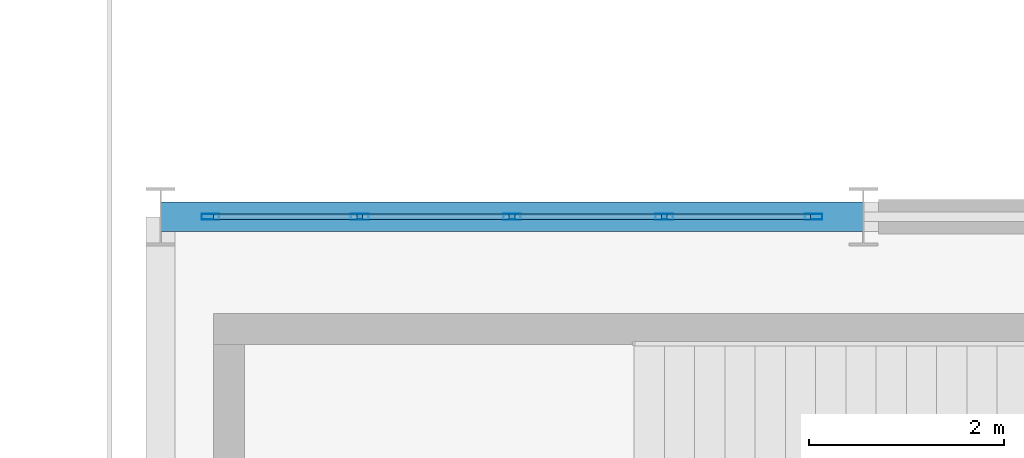
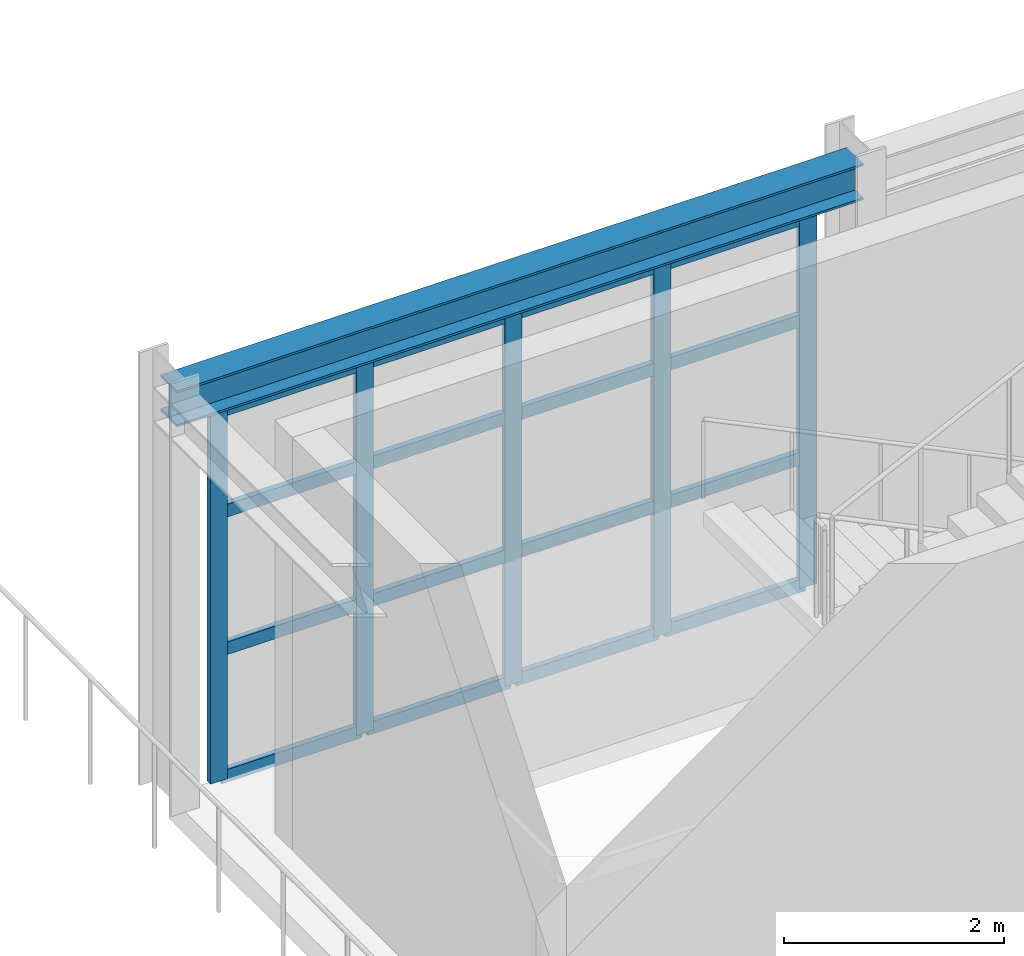
# One storey, part 44 of 83: 21 members, 1 beam, 1 element without a shape of its own.
"""IFC4 building model written with IfcOpenShell, lengths in metres."""

from ifc_helpers import new_model, si_unit, direction, frame, origin, origin_2d, place, context, subcontext, project, spatial, hollow_rectangle, i_section, extrude, material, layer, layer_set, material_profile, profile_set, type_object, element, aggregate, save


model = new_model("IFC4")

# Units and contexts
model_context = context("Model", 3, precision=1e-05, world=origin(), true_north=direction((0.0, 1.0)))
body_context = subcontext(model_context, "Body", "Model", "MODEL_VIEW")
ifc_project = project(units=[si_unit("LENGTHUNIT", "METRE"), si_unit("AREAUNIT", "SQUARE_METRE"), si_unit("VOLUMEUNIT", "CUBIC_METRE"), si_unit("PLANEANGLEUNIT", "RADIAN"), si_unit("MASSUNIT", "GRAM", prefix="KILO")], contexts=[model_context])

# Site, building, storey
site_placement = place(None, origin())
site = spatial("IfcSite", under=ifc_project, at=site_placement, CompositionType="ELEMENT")
building_placement = place(site_placement, origin())
building = spatial("IfcBuilding", under=site, at=building_placement, Name="Solvadek Multi-Sports Hall", CompositionType="ELEMENT")
storey_placement = place(building_placement, origin())
storey = spatial("IfcBuildingStorey", under=building, at=storey_placement, Name="L00", CompositionType="ELEMENT", Elevation=0.0)

# Curtain wall, members
ifc_material_1 = material(Name="Anodised aluminium", Category="aluminium")
ifc_layer = layer(ifc_material_1, 0.159912109375, Name="Anodised aluminium")
ifc_layer_set = layer_set([ifc_layer], Name="Anodised aluminium")
curtain_wall_type = type_object("IfcCurtainWallType", Name="ENV-CW-624X412", PredefinedType="USERDEFINED", material=ifc_layer_set)
curtain_wall_placement = place(storey_placement, origin())
curtain_wall = element("IfcCurtainWall", 1, at=curtain_wall_placement, inside=storey, type_object=curtain_wall_type, Name="L00 Perimeter Bay Curtain Wall #129", ObjectType="CURTAIN WALL", PredefinedType="USERDEFINED")
ifc_material_profile_1 = material_profile(ifc_material_1, hollow_rectangle(XDim=0.06005859375, YDim=0.179931640625, WallThickness=0.00390625, at=origin_2d()), Name="ALU-M 180x60x4")
ifc_profile_set_1 = profile_set([ifc_material_profile_1], Name="Anodised aluminium")
member_type_1 = type_object("IfcMemberType", Name="ENV-CWM-02", PredefinedType="MULLION", material=ifc_profile_set_1)
member_1_placement = place(storey_placement, frame((137.31005859375, 70.800048828125, 0.0), z_axis=(0.0, 0.0, 1.0), x_axis=(0.0, 1.0, 0.0)))
member_1 = element("IfcMember", 2, at=member_1_placement, type_object=member_type_1, Name="CW-38 mullion 1", PredefinedType="MULLION", context=body_context, shape_type="SweptSolid", body=[
    extrude(hollow_rectangle(XDim=0.06005859375, YDim=0.179931640625, WallThickness=0.00390625, at=origin_2d()), origin(), (0.0, 0.0, 1.0), 4.125),
])
member_2_placement = place(storey_placement, frame((138.840087890625, 70.800048828125, 0.0), z_axis=(0.0, 0.0, 1.0), x_axis=(0.0, 1.0, 0.0)))
member_2 = element("IfcMember", 3, at=member_2_placement, type_object=member_type_1, Name="CW-38 mullion 2", PredefinedType="MULLION", context=body_context, shape_type="SweptSolid", body=[
    extrude(hollow_rectangle(XDim=0.06005859375, YDim=0.179931640625, WallThickness=0.00390625, at=origin_2d()), origin(), (0.0, 0.0, 1.0), 4.125),
])
member_3_placement = place(storey_placement, frame((140.39990234375, 70.800048828125, 0.0), z_axis=(0.0, 0.0, 1.0), x_axis=(0.0, 1.0, 0.0)))
member_3 = element("IfcMember", 4, at=member_3_placement, type_object=member_type_1, Name="CW-38 mullion 3", PredefinedType="MULLION", context=body_context, shape_type="SweptSolid", body=[
    extrude(hollow_rectangle(XDim=0.06005859375, YDim=0.179931640625, WallThickness=0.00390625, at=origin_2d()), origin(), (0.0, 0.0, 1.0), 4.125),
])
member_4_placement = place(storey_placement, frame((141.9599609375, 70.800048828125, 0.0), z_axis=(0.0, 0.0, 1.0), x_axis=(0.0, 1.0, 0.0)))
member_4 = element("IfcMember", 5, at=member_4_placement, type_object=member_type_1, Name="CW-38 mullion 4", PredefinedType="MULLION", context=body_context, shape_type="SweptSolid", body=[
    extrude(hollow_rectangle(XDim=0.06005859375, YDim=0.179931640625, WallThickness=0.00390625, at=origin_2d()), origin(), (0.0, 0.0, 1.0), 4.125),
])
member_5_placement = place(storey_placement, frame((143.489990234375, 70.800048828125, 0.0), z_axis=(0.0, 0.0, 1.0), x_axis=(0.0, 1.0, 0.0)))
member_5 = element("IfcMember", 6, at=member_5_placement, type_object=member_type_1, Name="CW-38 mullion 5", PredefinedType="MULLION", context=body_context, shape_type="SweptSolid", body=[
    extrude(hollow_rectangle(XDim=0.06005859375, YDim=0.179931640625, WallThickness=0.00390625, at=origin_2d()), origin(), (0.0, 0.0, 1.0), 4.125),
])
ifc_material_profile_2 = material_profile(ifc_material_1, hollow_rectangle(XDim=0.06005859375, YDim=0.139892578125, WallThickness=0.00390625, at=origin_2d()), Name="ALU-T 140x60x4")
ifc_profile_set_2 = profile_set([ifc_material_profile_2], Name="Anodised aluminium")
member_type_2 = type_object("IfcMemberType", Name="ENV-CWT-02", PredefinedType="USERDEFINED", material=ifc_profile_set_2)
member_6_placement = place(storey_placement, frame((137.340087890625, 70.800048828125, 0.030029296875), z_axis=(1.0, 0.0, 0.0), x_axis=(0.0, 1.0, 0.0)))
member_6 = element("IfcMember", 7, at=member_6_placement, type_object=member_type_2, Name="CW-38 transom 1.1", ObjectType="TRANSOM", PredefinedType="USERDEFINED", context=body_context, shape_type="SweptSolid", body=[
    extrude(hollow_rectangle(XDim=0.06005859375, YDim=0.139892578125, WallThickness=0.00390625, at=origin_2d()), origin(), (0.0, 0.0, 1.0), 1.469970703125),
])
member_7_placement = place(storey_placement, frame((137.340087890625, 70.800048828125, 1.444091796875), z_axis=(1.0, 0.0, 0.0), x_axis=(0.0, 1.0, 0.0)))
member_7 = element("IfcMember", 8, at=member_7_placement, type_object=member_type_2, Name="CW-38 transom 1.2", ObjectType="TRANSOM", PredefinedType="USERDEFINED", context=body_context, shape_type="SweptSolid", body=[
    extrude(hollow_rectangle(XDim=0.06005859375, YDim=0.139892578125, WallThickness=0.00390625, at=origin_2d()), origin(), (0.0, 0.0, 1.0), 1.469970703125),
])
member_8_placement = place(storey_placement, frame((137.340087890625, 70.800048828125, 2.969970703125), z_axis=(1.0, 0.0, 0.0), x_axis=(0.0, 1.0, 0.0)))
member_8 = element("IfcMember", 9, at=member_8_placement, type_object=member_type_2, Name="CW-38 transom 1.3", ObjectType="TRANSOM", PredefinedType="USERDEFINED", context=body_context, shape_type="SweptSolid", body=[
    extrude(hollow_rectangle(XDim=0.06005859375, YDim=0.139892578125, WallThickness=0.00390625, at=origin_2d()), origin(), (0.0, 0.0, 1.0), 1.469970703125),
])
member_9_placement = place(storey_placement, frame((137.340087890625, 70.800048828125, 4.094970703125), z_axis=(1.0, 0.0, 0.0), x_axis=(0.0, 1.0, 0.0)))
member_9 = element("IfcMember", 10, at=member_9_placement, type_object=member_type_2, Name="CW-38 transom 1.4", ObjectType="TRANSOM", PredefinedType="USERDEFINED", context=body_context, shape_type="SweptSolid", body=[
    extrude(hollow_rectangle(XDim=0.06005859375, YDim=0.139892578125, WallThickness=0.00390625, at=origin_2d()), origin(), (0.0, 0.0, 1.0), 1.469970703125),
])
member_10_placement = place(storey_placement, frame((138.8701171875, 70.800048828125, 0.030029296875), z_axis=(1.0, 0.0, 0.0), x_axis=(0.0, 1.0, 0.0)))
member_10 = element("IfcMember", 11, at=member_10_placement, type_object=member_type_2, Name="CW-38 transom 2.1", ObjectType="TRANSOM", PredefinedType="USERDEFINED", context=body_context, shape_type="SweptSolid", body=[
    extrude(hollow_rectangle(XDim=0.06005859375, YDim=0.139892578125, WallThickness=0.00390625, at=origin_2d()), origin(), (0.0, 0.0, 1.0), 1.5),
])
member_11_placement = place(storey_placement, frame((138.8701171875, 70.800048828125, 1.444091796875), z_axis=(1.0, 0.0, 0.0), x_axis=(0.0, 1.0, 0.0)))
member_11 = element("IfcMember", 12, at=member_11_placement, type_object=member_type_2, Name="CW-38 transom 2.2", ObjectType="TRANSOM", PredefinedType="USERDEFINED", context=body_context, shape_type="SweptSolid", body=[
    extrude(hollow_rectangle(XDim=0.06005859375, YDim=0.139892578125, WallThickness=0.00390625, at=origin_2d()), origin(), (0.0, 0.0, 1.0), 1.5),
])
member_12_placement = place(storey_placement, frame((138.8701171875, 70.800048828125, 2.969970703125), z_axis=(1.0, 0.0, 0.0), x_axis=(0.0, 1.0, 0.0)))
member_12 = element("IfcMember", 13, at=member_12_placement, type_object=member_type_2, Name="CW-38 transom 2.3", ObjectType="TRANSOM", PredefinedType="USERDEFINED", context=body_context, shape_type="SweptSolid", body=[
    extrude(hollow_rectangle(XDim=0.06005859375, YDim=0.139892578125, WallThickness=0.00390625, at=origin_2d()), origin(), (0.0, 0.0, 1.0), 1.5),
])
member_13_placement = place(storey_placement, frame((138.8701171875, 70.800048828125, 4.094970703125), z_axis=(1.0, 0.0, 0.0), x_axis=(0.0, 1.0, 0.0)))
member_13 = element("IfcMember", 14, at=member_13_placement, type_object=member_type_2, Name="CW-38 transom 2.4", ObjectType="TRANSOM", PredefinedType="USERDEFINED", context=body_context, shape_type="SweptSolid", body=[
    extrude(hollow_rectangle(XDim=0.06005859375, YDim=0.139892578125, WallThickness=0.00390625, at=origin_2d()), origin(), (0.0, 0.0, 1.0), 1.5),
])
member_14_placement = place(storey_placement, frame((140.429931640625, 70.800048828125, 0.030029296875), z_axis=(1.0, 0.0, 0.0), x_axis=(0.0, 1.0, 0.0)))
member_14 = element("IfcMember", 15, at=member_14_placement, type_object=member_type_2, Name="CW-38 transom 3.1", ObjectType="TRANSOM", PredefinedType="USERDEFINED", context=body_context, shape_type="SweptSolid", body=[
    extrude(hollow_rectangle(XDim=0.06005859375, YDim=0.139892578125, WallThickness=0.00390625, at=origin_2d()), origin(), (0.0, 0.0, 1.0), 1.5),
])
member_15_placement = place(storey_placement, frame((140.429931640625, 70.800048828125, 1.444091796875), z_axis=(1.0, 0.0, 0.0), x_axis=(0.0, 1.0, 0.0)))
member_15 = element("IfcMember", 16, at=member_15_placement, type_object=member_type_2, Name="CW-38 transom 3.2", ObjectType="TRANSOM", PredefinedType="USERDEFINED", context=body_context, shape_type="SweptSolid", body=[
    extrude(hollow_rectangle(XDim=0.06005859375, YDim=0.139892578125, WallThickness=0.00390625, at=origin_2d()), origin(), (0.0, 0.0, 1.0), 1.5),
])
member_16_placement = place(storey_placement, frame((140.429931640625, 70.800048828125, 2.969970703125), z_axis=(1.0, 0.0, 0.0), x_axis=(0.0, 1.0, 0.0)))
member_16 = element("IfcMember", 17, at=member_16_placement, type_object=member_type_2, Name="CW-38 transom 3.3", ObjectType="TRANSOM", PredefinedType="USERDEFINED", context=body_context, shape_type="SweptSolid", body=[
    extrude(hollow_rectangle(XDim=0.06005859375, YDim=0.139892578125, WallThickness=0.00390625, at=origin_2d()), origin(), (0.0, 0.0, 1.0), 1.5),
])
member_17_placement = place(storey_placement, frame((140.429931640625, 70.800048828125, 4.094970703125), z_axis=(1.0, 0.0, 0.0), x_axis=(0.0, 1.0, 0.0)))
member_17 = element("IfcMember", 18, at=member_17_placement, type_object=member_type_2, Name="CW-38 transom 3.4", ObjectType="TRANSOM", PredefinedType="USERDEFINED", context=body_context, shape_type="SweptSolid", body=[
    extrude(hollow_rectangle(XDim=0.06005859375, YDim=0.139892578125, WallThickness=0.00390625, at=origin_2d()), origin(), (0.0, 0.0, 1.0), 1.5),
])
member_18_placement = place(storey_placement, frame((141.989990234375, 70.800048828125, 0.030029296875), z_axis=(1.0, 0.0, 0.0), x_axis=(0.0, 1.0, 0.0)))
member_18 = element("IfcMember", 19, at=member_18_placement, type_object=member_type_2, Name="CW-38 transom 4.1", ObjectType="TRANSOM", PredefinedType="USERDEFINED", context=body_context, shape_type="SweptSolid", body=[
    extrude(hollow_rectangle(XDim=0.06005859375, YDim=0.139892578125, WallThickness=0.00390625, at=origin_2d()), origin(), (0.0, 0.0, 1.0), 1.469970703125),
])
member_19_placement = place(storey_placement, frame((141.989990234375, 70.800048828125, 1.444091796875), z_axis=(1.0, 0.0, 0.0), x_axis=(0.0, 1.0, 0.0)))
member_19 = element("IfcMember", 20, at=member_19_placement, type_object=member_type_2, Name="CW-38 transom 4.2", ObjectType="TRANSOM", PredefinedType="USERDEFINED", context=body_context, shape_type="SweptSolid", body=[
    extrude(hollow_rectangle(XDim=0.06005859375, YDim=0.139892578125, WallThickness=0.00390625, at=origin_2d()), origin(), (0.0, 0.0, 1.0), 1.469970703125),
])
member_20_placement = place(storey_placement, frame((141.989990234375, 70.800048828125, 2.969970703125), z_axis=(1.0, 0.0, 0.0), x_axis=(0.0, 1.0, 0.0)))
member_20 = element("IfcMember", 21, at=member_20_placement, type_object=member_type_2, Name="CW-38 transom 4.3", ObjectType="TRANSOM", PredefinedType="USERDEFINED", context=body_context, shape_type="SweptSolid", body=[
    extrude(hollow_rectangle(XDim=0.06005859375, YDim=0.139892578125, WallThickness=0.00390625, at=origin_2d()), origin(), (0.0, 0.0, 1.0), 1.469970703125),
])
member_21_placement = place(storey_placement, frame((141.989990234375, 70.800048828125, 4.094970703125), z_axis=(1.0, 0.0, 0.0), x_axis=(0.0, 1.0, 0.0)))
member_21 = element("IfcMember", 22, at=member_21_placement, type_object=member_type_2, Name="CW-38 transom 4.4", ObjectType="TRANSOM", PredefinedType="USERDEFINED", context=body_context, shape_type="SweptSolid", body=[
    extrude(hollow_rectangle(XDim=0.06005859375, YDim=0.139892578125, WallThickness=0.00390625, at=origin_2d()), origin(), (0.0, 0.0, 1.0), 1.469970703125),
])
aggregate(curtain_wall, [member_1, member_2, member_3, member_4, member_5, member_6, member_7, member_8, member_9, member_10, member_11, member_12, member_13, member_14, member_15, member_16, member_17, member_18, member_19, member_20, member_21])

# Beam
ifc_material_2 = material(Name="Steel E350 (350 MPa)", Category="steel")
ifc_material_profile_3 = material_profile(ifc_material_2, i_section(OverallWidth=0.300048828125, OverallDepth=0.39990234375, WebThickness=0.013427734375, FlangeThickness=0.02392578125, at=origin_2d()), Name="WPB 400")
ifc_profile_set_3 = profile_set([ifc_material_profile_3], Name="Steel E350 (350 MPa)")
beam_type = type_object("IfcBeamType", Name="STR-SPN-WPB400", PredefinedType="SPANDREL", material=ifc_profile_set_3)
beam_placement = place(storey_placement, frame((136.800048828125, 70.800048828125, 4.3798828125), z_axis=(1.0, 0.0, 0.0), x_axis=(0.0, 1.0, 0.0)))
element("IfcBeam", 23, at=beam_placement, inside=storey, type_object=beam_type, Name="L00 Girder SP-02 #663", PredefinedType="SPANDREL", context=body_context, shape_type="SweptSolid", body=[
    extrude(i_section(OverallWidth=0.300048828125, OverallDepth=0.39990234375, WebThickness=0.013427734375, FlangeThickness=0.02392578125, at=origin_2d()), origin(), (0.0, 0.0, 1.0), 7.199951171875),
])

save(model, "model.ifc")
